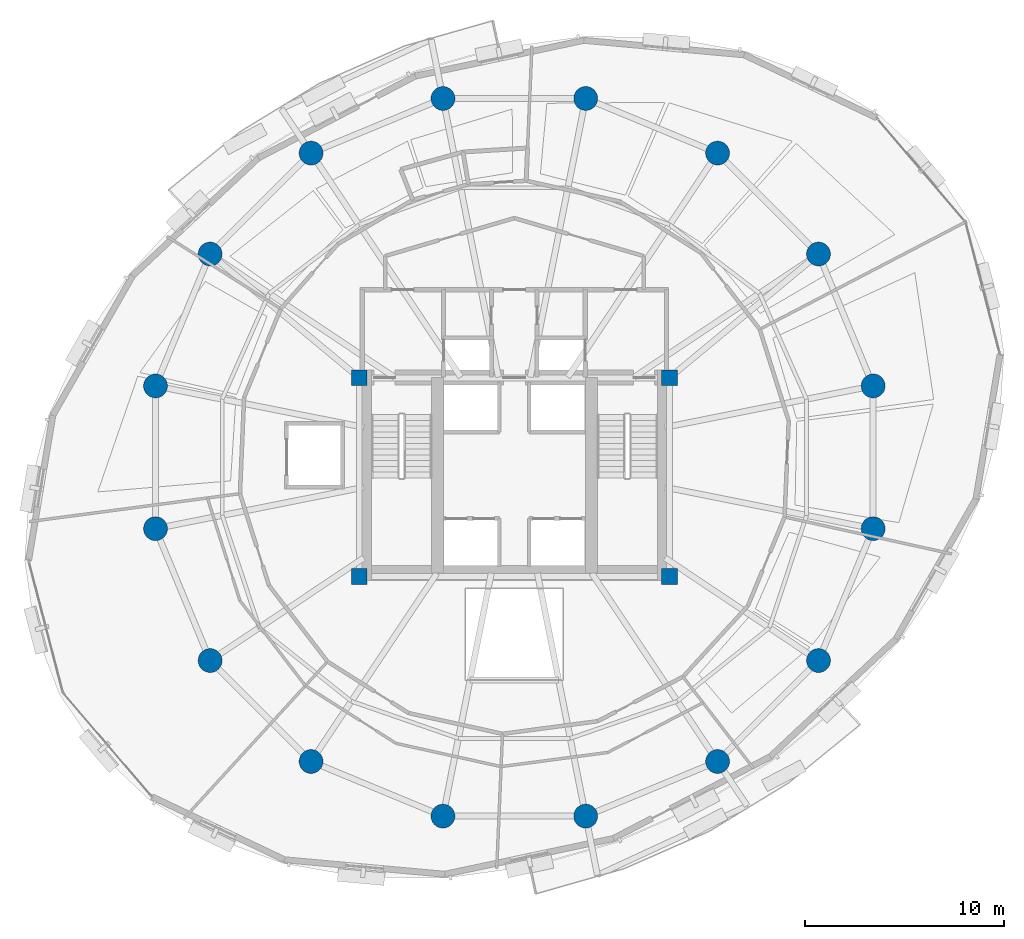
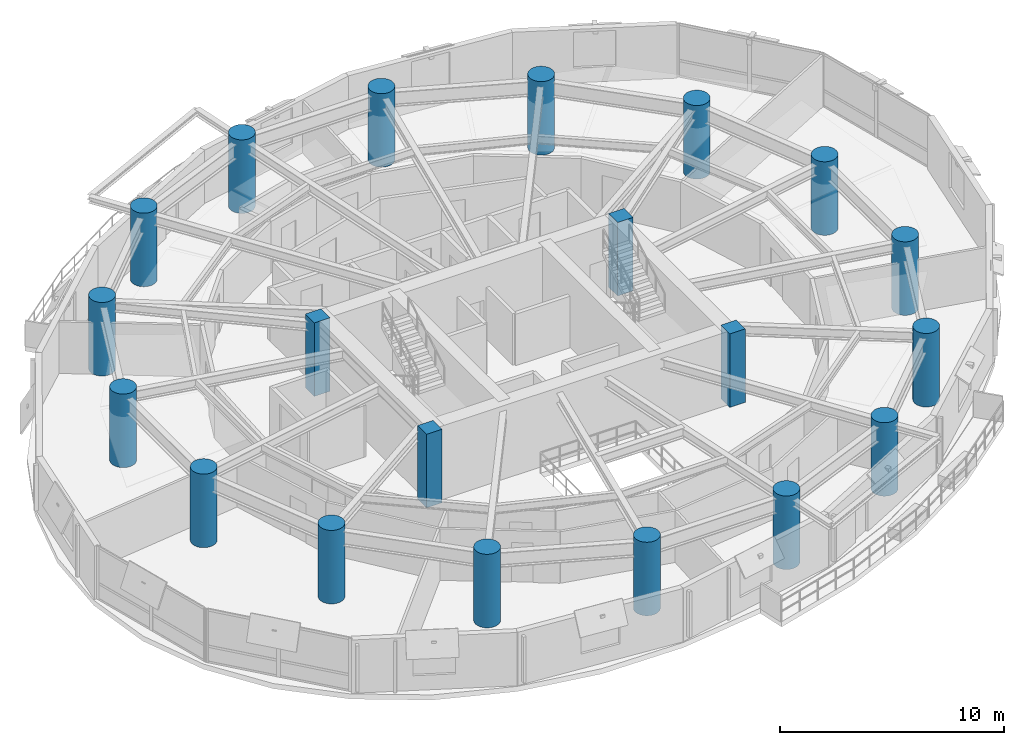
# One storey, part 1 of 14: 20 columns.
"""IFC4 building model written with IfcOpenShell, lengths in metres."""

from ifc_helpers import new_model, si_unit, direction, frame, origin, origin_2d, place, context, subcontext, project, spatial, rectangle, circle, extrude, material, material_profile, profile_set, type_object, element, save


model = new_model("IFC4")

# Units and contexts
model_context = context("Model", 3, precision=1e-05, world=origin(), true_north=direction((0.0, 1.0)))
body_context = subcontext(model_context, "Body", "Model", "MODEL_VIEW")
ifc_project = project(units=[si_unit("LENGTHUNIT", "METRE"), si_unit("AREAUNIT", "SQUARE_METRE"), si_unit("VOLUMEUNIT", "CUBIC_METRE"), si_unit("PLANEANGLEUNIT", "RADIAN"), si_unit("MASSUNIT", "GRAM", prefix="KILO"), si_unit("THERMODYNAMICTEMPERATUREUNIT", "KELVIN"), si_unit("POWERUNIT", "WATT")], contexts=[model_context])

# Site, building, storey
site_placement = place(None, origin())
site = spatial("IfcSite", under=ifc_project, at=site_placement, CompositionType="ELEMENT")
building_placement = place(site_placement, origin())
building = spatial("IfcBuilding", under=site, at=building_placement, Name="Ocrelia Relay Tower", CompositionType="ELEMENT")
storey_placement = place(building_placement, frame((0.0, 0.0, 149.800048828125)))
storey = spatial("IfcBuildingStorey", under=building, at=storey_placement, Name="L35", CompositionType="ELEMENT", Elevation=149.800048828125)

# Columns
ifc_material = material(Name="Concrete C60/75", Category="concrete")
ifc_material_profile_1 = material_profile(ifc_material, circle(Radius=0.60009765625, at=origin_2d()), Name="RC-CIR-1200")
ifc_profile_set_1 = profile_set([ifc_material_profile_1], Name="Concrete C60/75")
column_type_1 = type_object("IfcColumnType", Name="COL-CT-1200", PredefinedType="COLUMN", material=ifc_profile_set_1)
for number, where, z_axis, x_axis, name in (
    (1, (52.04638671875, 29.589599609375, 0.0), (0.0, 0.0, 1.0), (1.0, 0.0, 0.0), "L35 Perimeter Ring Column C01"),
    (2, (49.299072265625, 36.222412109375, 0.0), (0.0, 0.0, 1.0), (1.0, 0.0, 0.0), "L35 Perimeter Ring Column C02"),
    (3, (44.222412109375, 41.299072265625, 0.0), (0.0, 0.0, 1.0), (1.0, 0.0, 0.0), "L35 Perimeter Ring Column C03"),
    (4, (37.589599609375, 44.04638671875, 0.0), (0.0, 0.0, 1.0), (1.0, 0.0, 0.0), "L35 Perimeter Ring Column C04"),
    (5, (30.410400390625, 44.04638671875, 0.0), (0.0, 0.0, 1.0), (1.0, 0.0, 0.0), "L35 Perimeter Ring Column C05"),
    (6, (23.777587890625, 41.299072265625, 0.0), (0.0, 0.0, 1.0), (1.0, 0.0, 0.0), "L35 Perimeter Ring Column C06"),
    (7, (18.700927734375, 36.222412109375, 0.0), (0.0, 0.0, 1.0), (1.0, 0.0, 0.0), "L35 Perimeter Ring Column C07"),
    (8, (15.95361328125, 29.589599609375, 0.0), (0.0, 0.0, 1.0), (1.0, 0.0, 0.0), "L35 Perimeter Ring Column C08"),
    (9, (15.95361328125, 22.410400390625, 0.0), (0.0, 0.0, 1.0), (1.0, 0.0, 0.0), "L35 Perimeter Ring Column C09"),
    (10, (18.700927734375, 15.777587890625, 0.0), (0.0, 0.0, 1.0), (1.0, 0.0, 0.0), "L35 Perimeter Ring Column C10"),
    (11, (23.777587890625, 10.700927734375, 0.0), (0.0, 0.0, 1.0), (1.0, 0.0, 0.0), "L35 Perimeter Ring Column C11"),
    (12, (30.410400390625, 7.95361328125, 0.0), (0.0, 0.0, 1.0), (1.0, 0.0, 0.0), "L35 Perimeter Ring Column C12"),
    (13, (37.589599609375, 7.95361328125, 0.0), (0.0, 0.0, 1.0), (1.0, 0.0, 0.0), "L35 Perimeter Ring Column C13"),
    (14, (44.222412109375, 10.700927734375, 0.0), (0.0, 0.0, 1.0), (1.0, 0.0, 0.0), "L35 Perimeter Ring Column C14"),
    (15, (49.299072265625, 15.777587890625, 0.0), (0.0, 0.0, 1.0), (1.0, 0.0, 0.0), "L35 Perimeter Ring Column C15"),
    (16, (52.04638671875, 22.410400390625, 0.0), (0.0, 0.0, 1.0), (1.0, 0.0, 0.0), "L35 Perimeter Ring Column C16"),
):
    element("IfcColumn", number, at=place(storey_placement, frame(where, z_axis=z_axis, x_axis=x_axis)), inside=storey, type_object=column_type_1, Name=name, PredefinedType="COLUMN", context=body_context, shape_type="SweptSolid", body=[
        extrude(circle(Radius=0.60009765625, at=origin_2d()), origin(), (0.0, 0.0, 1.0), 4.0),
    ])
ifc_material_profile_2 = material_profile(ifc_material, rectangle(XDim=0.800048828125, YDim=0.800048828125, at=origin_2d()), Name="RC-COL-800x800")
ifc_profile_set_2 = profile_set([ifc_material_profile_2], Name="Concrete C60/75")
column_type_2 = type_object("IfcColumnType", Name="COL-PILASTER-800", PredefinedType="PILASTER", material=ifc_profile_set_2)
for number, where, z_axis, x_axis, name in (
    (17, (26.199951171875, 20.0, 0.0), (0.0, 0.0, 1.0), (1.0, 0.0, 0.0), "L35 Core Corner Pilaster SW"),
    (18, (41.800048828125, 20.0, 0.0), (0.0, 0.0, 1.0), (1.0, 0.0, 0.0), "L35 Core Corner Pilaster SE"),
    (19, (26.199951171875, 30.0, 0.0), (0.0, 0.0, 1.0), (1.0, 0.0, 0.0), "L35 Core Corner Pilaster NW"),
    (20, (41.800048828125, 30.0, 0.0), (0.0, 0.0, 1.0), (1.0, 0.0, 0.0), "L35 Core Corner Pilaster NE"),
):
    element("IfcColumn", number, at=place(storey_placement, frame(where, z_axis=z_axis, x_axis=x_axis)), inside=storey, type_object=column_type_2, Name=name, PredefinedType="PILASTER", context=body_context, shape_type="SweptSolid", body=[
        extrude(rectangle(XDim=0.800048828125, YDim=0.800048828125, at=origin_2d()), origin(), (0.0, 0.0, 1.0), 4.0),
    ])

save(model, "model.ifc")
